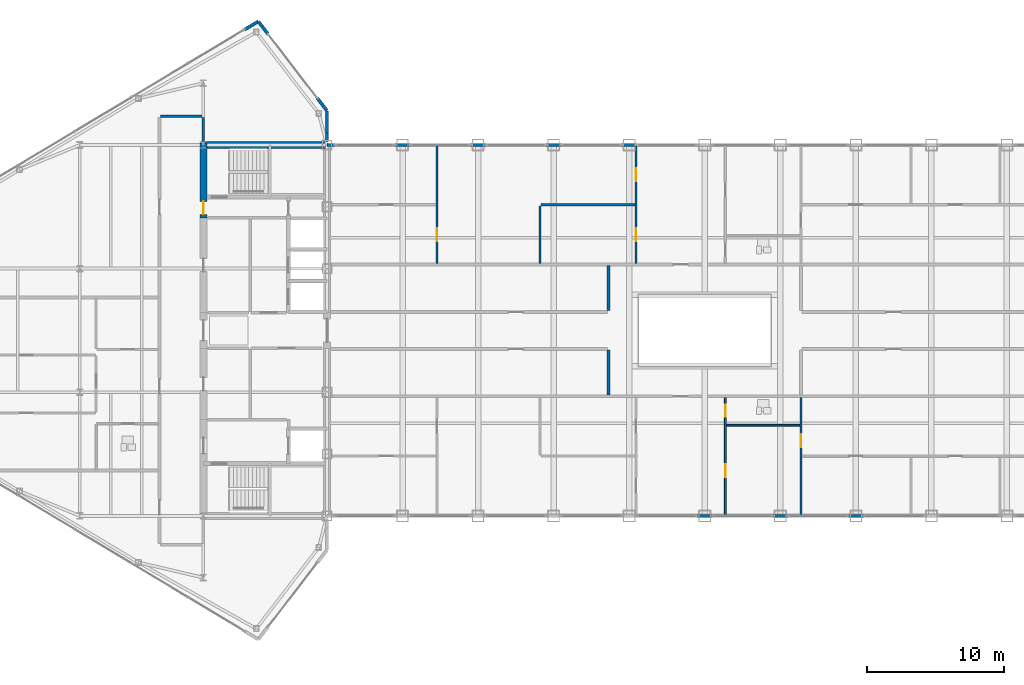
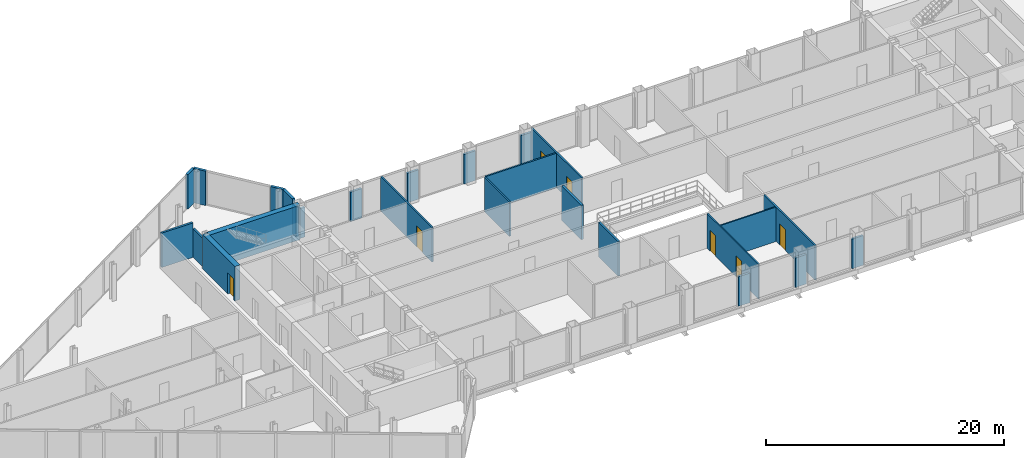
# One storey, part 23 of 29: 26 walls, 7 doors, 7 openings.
"""IFC4 building model written with IfcOpenShell, lengths in metres."""

from ifc_helpers import new_model, si_unit, direction, frame, frame_2d, origin, place, context, subcontext, project, spatial, rectangle, extrude, source, transform, mapped, material, layer, layer_set, type_object, type_shapes, element, fill, save


model = new_model("IFC4")

# Units and contexts
model_context = context("Model", 3, precision=1e-05, world=origin(), true_north=direction((0.0, 1.0)))
body_context = subcontext(model_context, "Body", "Model", "MODEL_VIEW")
ifc_project = project(units=[si_unit("LENGTHUNIT", "METRE"), si_unit("AREAUNIT", "SQUARE_METRE"), si_unit("VOLUMEUNIT", "CUBIC_METRE"), si_unit("PLANEANGLEUNIT", "RADIAN"), si_unit("MASSUNIT", "GRAM", prefix="KILO")], contexts=[model_context])

# Site, building, storey
site_placement = place(None, origin())
site = spatial("IfcSite", under=ifc_project, at=site_placement, CompositionType="ELEMENT")
building_placement = place(site_placement, origin())
building = spatial("IfcBuilding", under=site, at=building_placement, Name="Seokmaru Belvedere", CompositionType="ELEMENT")
storey_placement = place(building_placement, frame((0.0, 0.0, 250.64990234375)))
storey = spatial("IfcBuildingStorey", under=building, at=storey_placement, Name="L66", CompositionType="ELEMENT", Elevation=250.64990234375)

# Wall
ifc_material_1 = material(Name="Fire-Rated Gypsum Shaftwall")
ifc_layer_1 = layer(ifc_material_1, 0.14990234375)
ifc_layer_set_1 = layer_set([ifc_layer_1], Name="Fire-Rated Gypsum Shaftwall")
wall_type_1 = type_object("IfcWallType", Name="Apartment Fire-Acoustic Room Partition 150", PredefinedType="PARTITIONING", material=ifc_layer_set_1)
wall_1_placement = place(storey_placement, frame((-11.9150390625, 9.14990234375, 0.0), z_axis=(0.0, 0.0, 1.0), x_axis=(1.0, 0.0, 0.0)))
element("IfcWall", 1, at=wall_1_placement, inside=storey, type_object=wall_type_1, Name="L66 Interior Partition 027", PredefinedType="PARTITIONING", context=body_context, shape_type="SweptSolid", body=[
    extrude(rectangle(XDim=6.830078125, YDim=0.14990234375, at=frame_2d((3.4150390625, 0.0))), origin(), (0.0, 0.0, 1.0), 3.530029296875),
])

# Wall, opening, door
wall_2_placement = place(storey_placement, frame((-19.5, 4.885009765625, 0.0), z_axis=(0.0, 0.0, 1.0), x_axis=(0.0, 1.0, 0.0)))
wall_2 = element("IfcWall", 2, at=wall_2_placement, inside=storey, type_object=wall_type_1, Name="L66 Interior Partition 039", PredefinedType="PARTITIONING", context=body_context, shape_type="SweptSolid", body=[
    extrude(rectangle(XDim=8.614990234375, YDim=0.14990234375, at=frame_2d((4.3076171875, 0.0))), origin(), (0.0, 0.0, 1.0), 3.530029296875),
])
opening_1_placement = place(wall_2_placement, frame((1.614990234375, 0.0, 0.0)))
opening_1 = element("IfcOpeningElement", 3, at=opening_1_placement, cuts=wall_2, Name="Opening D05", PredefinedType="OPENING", context=body_context, shape_type="SweptSolid", body=[
    extrude(rectangle(XDim=0.949951171875, YDim=2.14990234375, at=frame_2d((0.47509765625, 1.074951171875))), frame((0.0, 0.0849609375, 0.0), z_axis=(0.0, -1.0, 0.0), x_axis=(1.0, 0.0, 0.0)), (0.0, 0.0, 1.0), 0.169921875),
])
ifc_material_2 = material(Name="Engineered White Oak Timber", Category="wood")
door_type_1 = type_object("IfcDoorType", Name="Apartment Interior Fire-Rated Oak Door 950x2150", OperationType="NOTDEFINED", PredefinedType="DOOR", material=ifc_material_2)
shared_shape_1 = source(origin(), body_context, "Body", "SweptSolid", [
    extrude(rectangle(XDim=0.949951171875, YDim=2.14990234375, at=frame_2d((0.47509765625, 1.074951171875))), frame((0.0, 0.02490234375, 0.0), z_axis=(0.0, -1.0, 0.0), x_axis=(1.0, 0.0, 0.0)), (0.0, 0.0, 1.0), 0.050048828125),
])
type_shapes(door_type_1, [shared_shape_1])
door_1_placement = place(opening_1_placement, origin())
door_1 = element("IfcDoor", 4, at=door_1_placement, inside=storey, type_object=door_type_1, Name="L66 Interior Door 046", OperationType="SINGLE_SWING_LEFT", OverallHeight=2.14990234375, OverallWidth=0.949951171875, PredefinedType="DOOR", context=body_context, shape_type="MappedRepresentation", body=[
    mapped(shared_shape_1, transform((0.0, 0.0, 0.0), scale=1.0)),
])
fill(opening_1, door_1)

# Wall
wall_3_placement = place(storey_placement, frame((-12.0, 4.885009765625, 0.0), z_axis=(0.0, 0.0, 1.0), x_axis=(0.0, 1.0, 0.0)))
element("IfcWall", 5, at=wall_3_placement, inside=storey, type_object=wall_type_1, Name="L66 Interior Partition 041", PredefinedType="PARTITIONING", context=body_context, shape_type="SweptSolid", body=[
    extrude(rectangle(XDim=4.179931640625, YDim=0.14990234375, at=frame_2d((2.08984375, 0.0))), origin(), (0.0, 0.0, 1.0), 3.530029296875),
])

# Wall, openings, doors
wall_4_placement = place(storey_placement, frame((-5.0, 4.885009765625, 0.0), z_axis=(0.0, 0.0, 1.0), x_axis=(0.0, 1.0, 0.0)))
wall_4 = element("IfcWall", 6, at=wall_4_placement, inside=storey, type_object=wall_type_1, Name="L66 Interior Partition 045", PredefinedType="PARTITIONING", context=body_context, shape_type="SweptSolid", body=[
    extrude(rectangle(XDim=8.5048828125, YDim=0.14990234375, at=frame_2d((4.25244140625, 0.0))), origin(), (0.0, 0.0, 1.0), 3.530029296875),
])
opening_2_placement = place(wall_4_placement, frame((1.614990234375, 0.0, 0.0)))
opening_2 = element("IfcOpeningElement", 7, at=opening_2_placement, cuts=wall_4, Name="Opening D05", PredefinedType="OPENING", context=body_context, shape_type="SweptSolid", body=[
    extrude(rectangle(XDim=0.949951171875, YDim=2.14990234375, at=frame_2d((0.47509765625, 1.074951171875))), frame((0.0, 0.0849609375, 0.0), z_axis=(0.0, -1.0, 0.0), x_axis=(1.0, 0.0, 0.0)), (0.0, 0.0, 1.0), 0.169921875),
])
opening_3_placement = place(wall_4_placement, frame((5.965087890625, 0.0, 0.0)))
opening_3 = element("IfcOpeningElement", 8, at=opening_3_placement, cuts=wall_4, Name="Opening D05", PredefinedType="OPENING", context=body_context, shape_type="SweptSolid", body=[
    extrude(rectangle(XDim=0.949951171875, YDim=2.14990234375, at=frame_2d((0.47509765625, 1.074951171875))), frame((0.0, 0.0849609375, 0.0), z_axis=(0.0, -1.0, 0.0), x_axis=(1.0, 0.0, 0.0)), (0.0, 0.0, 1.0), 0.169921875),
])
door_2_placement = place(opening_2_placement, origin())
door_2 = element("IfcDoor", 9, at=door_2_placement, inside=storey, type_object=door_type_1, Name="L66 Interior Door 044", OperationType="SINGLE_SWING_LEFT", OverallHeight=2.14990234375, OverallWidth=0.949951171875, PredefinedType="DOOR", context=body_context, shape_type="MappedRepresentation", body=[
    mapped(shared_shape_1, transform((0.0, 0.0, 0.0), scale=1.0)),
])
fill(opening_2, door_2)
door_3_placement = place(opening_3_placement, origin())
door_3 = element("IfcDoor", 10, at=door_3_placement, inside=storey, type_object=door_type_1, Name="L66 Interior Door 045", OperationType="SINGLE_SWING_RIGHT", OverallHeight=2.14990234375, OverallWidth=0.949951171875, PredefinedType="DOOR", context=body_context, shape_type="MappedRepresentation", body=[
    mapped(shared_shape_1, transform((0.0, 0.0, 0.0), scale=1.0)),
])
fill(opening_3, door_3)

# Wall, opening, door
wall_5_placement = place(storey_placement, frame((7.0, -13.5, 0.0), z_axis=(0.0, 0.0, 1.0), x_axis=(0.0, 1.0, 0.0)))
wall_5 = element("IfcWall", 11, at=wall_5_placement, inside=storey, type_object=wall_type_1, Name="L66 Interior Partition 048", PredefinedType="PARTITIONING", context=body_context, shape_type="SweptSolid", body=[
    extrude(rectangle(XDim=8.614990234375, YDim=0.14990234375, at=frame_2d((4.3076171875, 0.0))), origin(), (0.0, 0.0, 1.0), 3.530029296875),
])
opening_4_placement = place(wall_5_placement, frame((5.0, 0.0, 0.0)))
opening_4 = element("IfcOpeningElement", 12, at=opening_4_placement, cuts=wall_5, Name="Opening D05", PredefinedType="OPENING", context=body_context, shape_type="SweptSolid", body=[
    extrude(rectangle(XDim=0.949951171875, YDim=2.14990234375, at=frame_2d((0.47509765625, 1.074951171875))), frame((0.0, 0.0849609375, 0.0), z_axis=(0.0, -1.0, 0.0), x_axis=(1.0, 0.0, 0.0)), (0.0, 0.0, 1.0), 0.169921875),
])
door_4_placement = place(opening_4_placement, origin())
door_4 = element("IfcDoor", 13, at=door_4_placement, inside=storey, type_object=door_type_1, Name="L66 Interior Door 037", OperationType="SINGLE_SWING_LEFT", OverallHeight=2.14990234375, OverallWidth=0.949951171875, PredefinedType="DOOR", context=body_context, shape_type="MappedRepresentation", body=[
    mapped(shared_shape_1, transform((0.0, 0.0, 0.0), scale=1.0)),
])
fill(opening_4, door_4)

# Walls
ifc_material_3 = material(Name="Anodised Bronze Aluminium", Category="aluminium")
ifc_layer_2 = layer(ifc_material_3, 0.2099609375)
ifc_layer_set_2 = layer_set([ifc_layer_2], Name="Anodised Bronze Aluminium")
wall_type_2 = type_object("IfcWallType", Name="Bridge Column Spandrel Closure Pier 210", PredefinedType="SOLIDWALL", material=ifc_layer_set_2)
wall_6_placement = place(storey_placement, frame((-27.489990234375, 13.5, 0.0), z_axis=(0.0, 0.0, 1.0), x_axis=(1.0, 0.0, 0.0)))
element("IfcWall", 14, at=wall_6_placement, inside=storey, type_object=wall_type_2, Name="L66 Bridge North Column Closure Pier 01", PredefinedType="SOLIDWALL", context=body_context, shape_type="SweptSolid", body=[
    extrude(rectangle(XDim=0.5400390625, YDim=0.2099609375, at=frame_2d((0.27001953125, 0.0))), origin(), (0.0, 0.0, 1.0), 3.030029296875),
])
for number, where, z_axis, x_axis, name in (
    (15, (-22.550048828125, 13.5, 0.0), (0.0, 0.0, 1.0), (1.0, 0.0, 0.0), "L66 Bridge North Column Closure Pier 02"),
    (16, (-17.050048828125, 13.5, 0.0), (0.0, 0.0, 1.0), (1.0, 0.0, 0.0), "L66 Bridge North Column Closure Pier 03"),
    (17, (-11.550048828125, 13.5, 0.0), (0.0, 0.0, 1.0), (1.0, 0.0, 0.0), "L66 Bridge North Column Closure Pier 04"),
    (18, (-6.050048828125, 13.5, 0.0), (0.0, 0.0, 1.0), (1.0, 0.0, 0.0), "L66 Bridge North Column Closure Pier 05"),
    (19, (-0.550048828125, -13.5, 0.0), (0.0, 0.0, 1.0), (1.0, 0.0, 0.0), "L66 Bridge South Column Closure Pier 06"),
    (20, (4.949951171875, -13.5, 0.0), (0.0, 0.0, 1.0), (1.0, 0.0, 0.0), "L66 Bridge South Column Closure Pier 07"),
    (21, (10.449951171875, -13.5, 0.0), (0.0, 0.0, 1.0), (1.0, 0.0, 0.0), "L66 Bridge South Column Closure Pier 08"),
):
    element("IfcWall", number, at=place(storey_placement, frame(where, z_axis=z_axis, x_axis=x_axis)), inside=storey, type_object=wall_type_2, Name=name, PredefinedType="SOLIDWALL", context=body_context, shape_type="SweptSolid", body=[
        extrude(rectangle(XDim=1.10009765625, YDim=0.2099609375, at=frame_2d((0.550048828125, 0.0))), origin(), (0.0, 0.0, 1.0), 3.030029296875),
    ])
ifc_layer_3 = layer(ifc_material_1, 0.199951171875)
ifc_layer_set_3 = layer_set([ifc_layer_3], Name="Fire-Rated Gypsum Shaftwall")
wall_type_3 = type_object("IfcWallType", Name="Inter-Tenancy Fire Compartment Partition 200", PredefinedType="PARTITIONING", material=ifc_layer_set_3)
wall_7_placement = place(storey_placement, frame((-39.614990234375, 15.60009765625, 0.0), z_axis=(0.0, 0.0, 1.0), x_axis=(1.0, 0.0, 0.0)))
element("IfcWall", 22, at=wall_7_placement, inside=storey, type_object=wall_type_3, Name="L66 Interior Partition 029", PredefinedType="PARTITIONING", context=body_context, shape_type="SweptSolid", body=[
    extrude(rectangle(XDim=3.030029296875, YDim=0.199951171875, at=frame_2d((1.51513671875, 0.0))), origin(), (0.0, 0.0, 1.0), 3.530029296875),
])
wall_8_placement = place(storey_placement, frame((-36.5, 13.7548828125, 0.0), z_axis=(0.0, 0.0, 1.0), x_axis=(0.0, 1.0, 0.0)))
element("IfcWall", 23, at=wall_8_placement, inside=storey, type_object=wall_type_3, Name="L66 Interior Partition 037", PredefinedType="PARTITIONING", context=body_context, shape_type="SweptSolid", body=[
    extrude(rectangle(XDim=1.760009765625, YDim=0.199951171875, at=frame_2d((0.8798828125, 0.0))), origin(), (0.0, 0.0, 1.0), 2.93017578125),
])
for number, where, z_axis, x_axis, name in (
    (24, (-7.0, -4.715087890625, 0.0), (0.0, 0.0, 1.0), (0.0, 1.0, 0.0), "L66 Interior Partition 042"),
    (25, (-7.0, 1.43505859375, 0.0), (0.0, 0.0, 1.0), (0.0, 1.0, 0.0), "L66 Interior Partition 043"),
):
    element("IfcWall", number, at=place(storey_placement, frame(where, z_axis=z_axis, x_axis=x_axis)), inside=storey, type_object=wall_type_3, Name=name, PredefinedType="PARTITIONING", context=body_context, shape_type="SweptSolid", body=[
        extrude(rectangle(XDim=3.280029296875, YDim=0.199951171875, at=frame_2d((1.64013671875, 0.0))), origin(), (0.0, 0.0, 1.0), 3.530029296875),
    ])
ifc_layer_4 = layer(ifc_material_1, 0.1298828125)
ifc_layer_set_4 = layer_set([ifc_layer_4], Name="Fire-Rated Gypsum Shaftwall")
wall_type_4 = type_object("IfcWallType", Name="Moisture-Resistant Fire-Rated Bathroom Partition 130", PredefinedType="PARTITIONING", material=ifc_layer_set_4)
wall_9_placement = place(storey_placement, frame((1.5849609375, -6.89990234375, 0.0), z_axis=(0.0, 0.0, 1.0), x_axis=(1.0, 0.0, 0.0)))
element("IfcWall", 26, at=wall_9_placement, inside=storey, type_object=wall_type_4, Name="L66 Interior Partition 008", PredefinedType="PARTITIONING", context=body_context, shape_type="SweptSolid", body=[
    extrude(rectangle(XDim=5.330078125, YDim=0.1298828125, at=frame_2d((2.6650390625, 0.0))), origin(), (0.0, 0.0, 1.0), 3.530029296875),
])

# Wall, openings, doors
wall_10_placement = place(storey_placement, frame((1.5, -13.5, 0.0), z_axis=(0.0, 0.0, 1.0), x_axis=(0.0, 1.0, 0.0)))
wall_10 = element("IfcWall", 27, at=wall_10_placement, inside=storey, type_object=wall_type_4, Name="L66 Interior Partition 046", PredefinedType="PARTITIONING", context=body_context, shape_type="SweptSolid", body=[
    extrude(rectangle(XDim=8.614990234375, YDim=0.1298828125, at=frame_2d((4.3076171875, 0.0))), origin(), (0.0, 0.0, 1.0), 3.530029296875),
])
opening_5_placement = place(wall_10_placement, frame((7.2099609375, 0.0, 0.0)))
opening_5 = element("IfcOpeningElement", 28, at=opening_5_placement, cuts=wall_10, Name="Opening D06", PredefinedType="OPENING", context=body_context, shape_type="SweptSolid", body=[
    extrude(rectangle(XDim=0.8798828125, YDim=2.10009765625, at=frame_2d((0.43994140625, 1.050048828125))), frame((0.0, 0.074951171875, 0.0), z_axis=(0.0, -1.0, 0.0), x_axis=(1.0, 0.0, 0.0)), (0.0, 0.0, 1.0), 0.14990234375),
])
opening_6_placement = place(wall_10_placement, frame((2.824951171875, 0.0, 0.0)))
opening_6 = element("IfcOpeningElement", 29, at=opening_6_placement, cuts=wall_10, Name="Opening D05", PredefinedType="OPENING", context=body_context, shape_type="SweptSolid", body=[
    extrude(rectangle(XDim=0.949951171875, YDim=2.14990234375, at=frame_2d((0.47509765625, 1.074951171875))), frame((0.0, 0.074951171875, 0.0), z_axis=(0.0, -1.0, 0.0), x_axis=(1.0, 0.0, 0.0)), (0.0, 0.0, 1.0), 0.14990234375),
])
door_type_2 = type_object("IfcDoorType", Name="Bathroom and Restroom Fire-Rated Door 880x2100", OperationType="NOTDEFINED", PredefinedType="DOOR", material=ifc_material_2)
shared_shape_2 = source(origin(), body_context, "Body", "SweptSolid", [
    extrude(rectangle(XDim=0.8798828125, YDim=2.10009765625, at=frame_2d((0.43994140625, 1.050048828125))), frame((0.0, 0.02490234375, 0.0), z_axis=(0.0, -1.0, 0.0), x_axis=(1.0, 0.0, 0.0)), (0.0, 0.0, 1.0), 0.050048828125),
])
type_shapes(door_type_2, [shared_shape_2])
door_5_placement = place(opening_5_placement, origin())
door_5 = element("IfcDoor", 30, at=door_5_placement, inside=storey, type_object=door_type_2, Name="L66 Interior Door 031", OperationType="SINGLE_SWING_LEFT", OverallHeight=2.10009765625, OverallWidth=0.8798828125, PredefinedType="DOOR", context=body_context, shape_type="MappedRepresentation", body=[
    mapped(shared_shape_2, transform((0.0, 0.0, 0.0), scale=1.0)),
])
fill(opening_5, door_5)
door_6_placement = place(opening_6_placement, origin())
door_6 = element("IfcDoor", 31, at=door_6_placement, inside=storey, type_object=door_type_1, Name="L66 Interior Door 032", OperationType="SINGLE_SWING_RIGHT", OverallHeight=2.14990234375, OverallWidth=0.949951171875, PredefinedType="DOOR", context=body_context, shape_type="MappedRepresentation", body=[
    mapped(shared_shape_1, transform((0.0, 0.0, 0.0), scale=1.0)),
])
fill(opening_6, door_6)

# Walls
ifc_layer_5 = layer(ifc_material_3, 0.239990234375)
ifc_layer_set_5 = layer_set([ifc_layer_5], Name="Anodised Bronze Aluminium")
wall_type_5 = type_object("IfcWallType", Name="Tower Corner Spandrel Closure Wall 240", PredefinedType="SOLIDWALL", material=ifc_layer_set_5)
wall_11_placement = place(storey_placement, frame((-27.5, 13.7548828125, 0.0), z_axis=(0.0, 0.0, 1.0), x_axis=(0.0, 1.0, 0.0)))
element("IfcWall", 32, at=wall_11_placement, inside=storey, type_object=wall_type_5, Name="L66 W Shoulder Closure Wall 2", PredefinedType="SOLIDWALL", context=body_context, shape_type="SweptSolid", body=[
    extrude(rectangle(XDim=0.619873046875, YDim=0.239990234375, at=frame_2d((0.31005859375, 0.0))), origin(), (0.0, 0.0, 1.0), 3.030029296875),
])
wall_12_placement = place(storey_placement, frame((-27.5, 14.374755859375, 0.0), z_axis=(0.0, 0.0, 1.0), x_axis=(0.0, 1.0, 0.0)))
element("IfcWall", 33, at=wall_12_placement, inside=storey, type_object=wall_type_5, Name="L66 W Shoulder Closure Wall 2 Part 2", PredefinedType="SOLIDWALL", context=body_context, shape_type="SweptSolid", body=[
    extrude(rectangle(XDim=1.605224609375, YDim=0.239990234375, at=frame_2d((0.802734375, 0.0))), origin(), (0.0, 0.0, 1.0), 3.530029296875),
])
for number, where, z_axis, x_axis, name in (
    (34, (-27.506103515625, 16.0078125, 0.0), (0.0, 0.0, 1.0), (-0.609617623633, 0.792695624408, 0.0), "L66 W Corner Closure Pier 2A"),
    (35, (-31.798828125, 21.58837890625, 0.0), (0.0, 0.0, 1.0), (-0.609617623633, 0.792695624408, 0.0), "L66 W Corner Closure Pier 2B"),
    (36, (-32.508544921875, 22.494873046875, 0.0), (0.0, 0.0, 1.0), (-0.85743623509, -0.514590228002, 0.0), "L66 W Corner Closure Pier 3A"),
):
    element("IfcWall", number, at=place(storey_placement, frame(where, z_axis=z_axis, x_axis=x_axis)), inside=storey, type_object=wall_type_5, Name=name, PredefinedType="SOLIDWALL", context=body_context, shape_type="SweptSolid", body=[
        extrude(rectangle(XDim=1.14013671875, YDim=0.239990234375, at=frame_2d((0.570068359375, 0.0))), origin(), (0.0, 0.0, 1.0), 3.530029296875),
    ])
ifc_material_4 = material(Name="Concrete C50 (50 MPa)", Category="concrete")
ifc_layer_6 = layer(ifc_material_4, 0.5)
ifc_layer_set_6 = layer_set([ifc_layer_6], Name="Concrete C50 (50 MPa)")
wall_type_6 = type_object("IfcWallType", Name="Upper Tower Reinforced Concrete Core Wall 500", PredefinedType="SHEAR", material=ifc_layer_set_6)
wall_13_placement = place(storey_placement, frame((-36.5, 13.5, 0.0), z_axis=(0.0, 0.0, 1.0), x_axis=(1.0, 0.0, 0.0)))
element("IfcWall", 37, at=wall_13_placement, inside=storey, type_object=wall_type_6, Name="L66 West North Core Wall", PredefinedType="SHEAR", context=body_context, shape_type="SweptSolid", body=[
    extrude(rectangle(XDim=9.0, YDim=0.5, at=frame_2d((4.5, 0.0))), origin(), (0.0, 0.0, 1.0), 3.530029296875),
])

# Wall, opening, door
wall_14_placement = place(storey_placement, frame((-36.5, 8.199951171875, 0.0), z_axis=(0.0, 0.0, 1.0), x_axis=(0.0, 1.0, 0.0)))
wall_14 = element("IfcWall", 38, at=wall_14_placement, inside=storey, type_object=wall_type_6, Name="L66 West West Core Wall VST", PredefinedType="SHEAR", context=body_context, shape_type="SweptSolid", body=[
    extrude(rectangle(XDim=5.449951171875, YDim=0.5, at=frame_2d((2.72509765625, 0.0))), origin(), (0.0, 0.0, 1.0), 3.530029296875),
])
opening_7_placement = place(wall_14_placement, frame((0.2451171875, 0.0, 0.0)))
opening_7 = element("IfcOpeningElement", 39, at=opening_7_placement, cuts=wall_14, Name="Opening D04", PredefinedType="OPENING", context=body_context, shape_type="SweptSolid", body=[
    extrude(rectangle(XDim=0.949951171875, YDim=2.14990234375, at=frame_2d((0.47509765625, 1.074951171875))), frame((0.0, 0.260009765625, 0.0), z_axis=(0.0, -1.0, 0.0), x_axis=(1.0, 0.0, 0.0)), (0.0, 0.0, 1.0), 0.52001953125),
])
ifc_material_5 = material(Name="Fire-Rated Steel Leaf", Category="steel")
door_type_3 = type_object("IfcDoorType", Name="Core Service Room Fire Door 950x2150", OperationType="NOTDEFINED", PredefinedType="DOOR", material=ifc_material_5)
shared_shape_3 = source(origin(), body_context, "Body", "SweptSolid", [
    extrude(rectangle(XDim=0.949951171875, YDim=2.14990234375, at=frame_2d((0.47509765625, 1.074951171875))), frame((0.0, 0.02490234375, 0.0), z_axis=(0.0, -1.0, 0.0), x_axis=(1.0, 0.0, 0.0)), (0.0, 0.0, 1.0), 0.050048828125),
])
type_shapes(door_type_3, [shared_shape_3])
door_7_placement = place(opening_7_placement, frame((0.949951171875, 0.0, 0.0), z_axis=(0.0, 0.0, 1.0), x_axis=(-1.0, 0.0, 0.0)))
door_7 = element("IfcDoor", 40, at=door_7_placement, inside=storey, type_object=door_type_3, Name="L66 West Smokeproof Vestibule Door", OperationType="SINGLE_SWING_RIGHT", OverallHeight=2.14990234375, OverallWidth=0.949951171875, PredefinedType="DOOR", context=body_context, shape_type="MappedRepresentation", body=[
    mapped(shared_shape_3, transform((0.0, 0.0, 0.0), scale=1.0)),
])
fill(opening_7, door_7)

save(model, "model.ifc")
